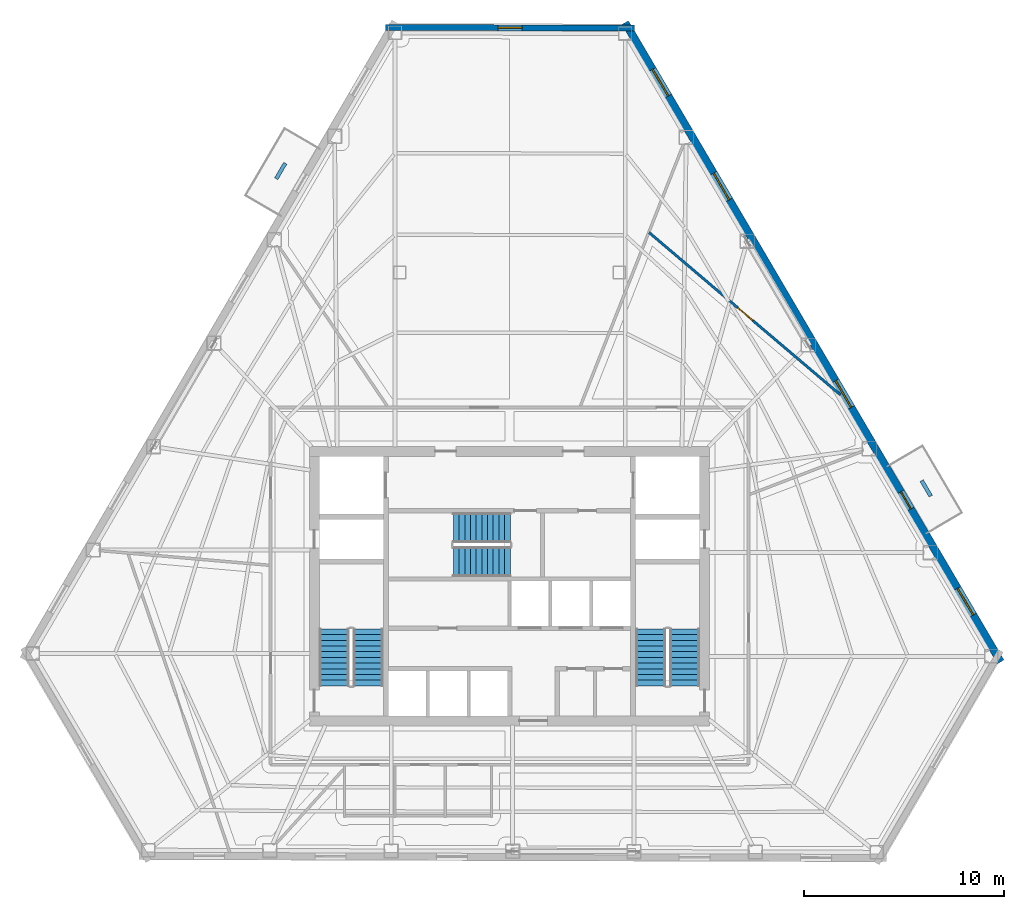
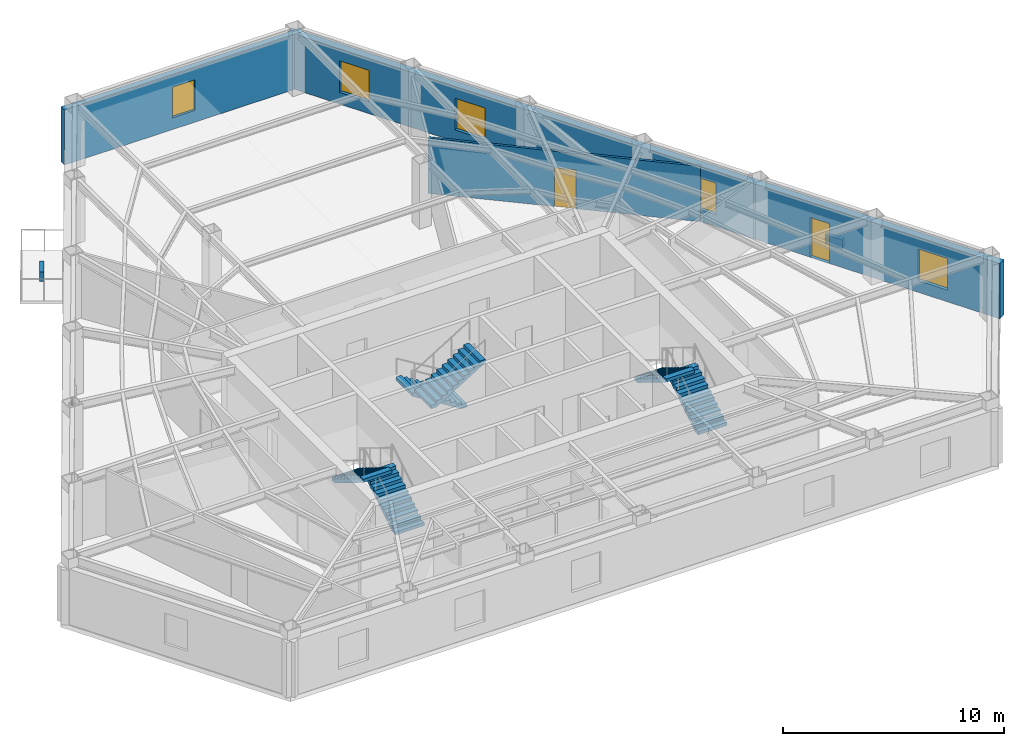
# One storey, part 7 of 11: 6 stair flights, 5 walls, 5 windows, 2 doors, 7 openings, 3 elements without a shape of their own.
"""IFC4 building model written with IfcOpenShell, lengths in metres."""

from ifc_helpers import new_model, si_unit, direction, frame, frame_2d, origin, place, context, subcontext, project, spatial, polyline, rectangle, outline, extrude, material, layer, layer_set, type_object, element, fill, aggregate, save


model = new_model("IFC4")

# Units and contexts
model_context = context("Model", 3, precision=1e-05, world=origin(), true_north=direction((0.0, 1.0)))
body_context = subcontext(model_context, "Body", "Model", "MODEL_VIEW")
ifc_project = project(units=[si_unit("LENGTHUNIT", "METRE"), si_unit("AREAUNIT", "SQUARE_METRE"), si_unit("VOLUMEUNIT", "CUBIC_METRE"), si_unit("PLANEANGLEUNIT", "RADIAN"), si_unit("MASSUNIT", "GRAM", prefix="KILO")], contexts=[model_context])

# Site, building, storey
site_placement = place(None, origin())
site = spatial("IfcSite", under=ifc_project, at=site_placement, CompositionType="ELEMENT")
building_placement = place(site_placement, origin())
building = spatial("IfcBuilding", under=site, at=building_placement, Name="Kavelnor Concourse Tower", CompositionType="ELEMENT")
storey_placement = place(building_placement, frame((0.0, 0.0, 127.85009765625)))
storey = spatial("IfcBuildingStorey", under=building, at=storey_placement, Name="L32", CompositionType="ELEMENT", Elevation=127.85009765625)

# Wall, opening, window
ifc_material_1 = material(Name="Buff ironspot clay face brick masonry", Category="masonry")
ifc_layer_1 = layer(ifc_material_1, 0.300048828125, Name="Buff ironspot clay face brick masonry")
ifc_layer_set_1 = layer_set([ifc_layer_1], Name="Buff ironspot clay face brick masonry")
wall_type_1 = type_object("IfcWallType", Name="WL-EXT-BUFF-BRICK-FOLD-300", PredefinedType="STANDARD", material=ifc_layer_set_1)
wall_1_placement = place(storey_placement, frame((31.7890625, 44.076904296875, 0.0), z_axis=(0.0, 0.0, 1.0), x_axis=(0.999995753089, -0.002914413051, 0.0)))
wall_1 = element("IfcWall", 1, at=wall_1_placement, inside=storey, type_object=wall_type_1, Name="L32 Exterior Brick Facade Wall E0", PredefinedType="STANDARD", context=body_context, shape_type="SweptSolid", body=[
    extrude(rectangle(XDim=12.481689453125, YDim=0.300048828125, at=frame_2d((6.24072265625, 0.0))), origin(), (0.0, 0.0, 1.0), 3.058837890625),
])
opening_1_placement = place(wall_1_placement, frame((5.640869140625, 0.0, 0.64990234375)))
opening_1 = element("IfcOpeningElement", 2, at=opening_1_placement, cuts=wall_1, Name="Opening W-05", PredefinedType="OPENING", context=body_context, shape_type="SweptSolid", body=[
    extrude(rectangle(XDim=1.199951171875, YDim=1.699951171875, at=frame_2d((0.60009765625, 0.85009765625))), frame((0.0, 0.16015625, 0.0), z_axis=(0.0, -1.0, 0.0), x_axis=(1.0, 0.0, 0.0)), (0.0, 0.0, 1.0), 0.320068359375),
])
ifc_material_2 = material(Name="Double low-E argon insulated glazing", Category="glass")
window_type_1 = type_object("IfcWindowType", Name="WIN-FOLD-1200", PartitioningType="SINGLE_PANEL", PredefinedType="WINDOW", material=ifc_material_2)
window_1_placement = place(opening_1_placement, origin())
window_1 = element("IfcWindow", 3, at=window_1_placement, inside=storey, type_object=window_type_1, Name="L32 Chamfer-Fold Facet Window C0", OverallHeight=1.699951171875, OverallWidth=1.199951171875, PartitioningType="SINGLE_PANEL", PredefinedType="WINDOW", context=body_context, shape_type="SweptSolid", body=[
    extrude(rectangle(XDim=1.199951171875, YDim=1.699951171875, at=frame_2d((0.60009765625, 0.85009765625))), frame((0.0, 0.030029296875, 0.0), z_axis=(0.0, -1.0, 0.0), x_axis=(1.0, 0.0, 0.0)), (0.0, 0.0, 1.0), 0.06005859375),
])
fill(opening_1, window_1)

# Wall, openings, door, windows
ifc_material_3 = material(Name="Red-ochre clay face brick masonry", Category="masonry")
ifc_layer_2 = layer(ifc_material_3, 0.3798828125, Name="Red-ochre clay face brick masonry")
ifc_layer_set_2 = layer_set([ifc_layer_2], Name="Red-ochre clay face brick masonry")
wall_type_2 = type_object("IfcWallType", Name="WL-EXT-RED-BRICK-PIER-380", PredefinedType="STANDARD", material=ifc_layer_set_2)
wall_2_placement = place(storey_placement, frame((43.7890625, 44.317138671875, 0.0), z_axis=(0.0, 0.0, 1.0), x_axis=(0.506589674511, -0.862187277613, 0.0)))
wall_2 = element("IfcWall", 4, at=wall_2_placement, inside=storey, type_object=wall_type_2, Name="L32 Exterior Brick Facade Wall E5", PredefinedType="STANDARD", context=body_context, shape_type="SweptSolid", body=[
    extrude(rectangle(XDim=37.135498046875, YDim=0.3798828125, at=frame_2d((18.56787109375, 0.0))), origin(), (0.0, 0.0, 1.0), 3.058837890625),
])
opening_2_placement = place(wall_2_placement, frame((27.251708984375, 0.0, 0.0)))
opening_2 = element("IfcOpeningElement", 5, at=opening_2_placement, cuts=wall_2, Name="Opening BD-100", PredefinedType="OPENING", context=body_context, shape_type="SweptSolid", body=[
    extrude(rectangle(XDim=1.0, YDim=2.199951171875, at=frame_2d((0.5, 1.10009765625))), frame((0.0, 0.199951171875, 0.0), z_axis=(0.0, -1.0, 0.0), x_axis=(1.0, 0.0, 0.0)), (0.0, 0.0, 1.0), 0.39990234375),
])
opening_3_placement = place(wall_2_placement, frame((32.864501953125, 0.0, 0.64990234375)))
opening_3 = element("IfcOpeningElement", 6, at=opening_3_placement, cuts=wall_2, Name="Opening W-02", PredefinedType="OPENING", context=body_context, shape_type="SweptSolid", body=[
    extrude(rectangle(XDim=1.550048828125, YDim=1.75, at=frame_2d((0.77490234375, 0.875))), frame((0.0, 0.199951171875, 0.0), z_axis=(0.0, -1.0, 0.0), x_axis=(1.0, 0.0, 0.0)), (0.0, 0.0, 1.0), 0.39990234375),
])
opening_4_placement = place(wall_2_placement, frame((20.80419921875, 0.0, 0.64990234375)))
opening_4 = element("IfcOpeningElement", 7, at=opening_4_placement, cuts=wall_2, Name="Opening W-02", PredefinedType="OPENING", context=body_context, shape_type="SweptSolid", body=[
    extrude(rectangle(XDim=1.550048828125, YDim=1.75, at=frame_2d((0.77490234375, 0.875))), frame((0.0, 0.199951171875, 0.0), z_axis=(0.0, -1.0, 0.0), x_axis=(1.0, 0.0, 0.0)), (0.0, 0.0, 1.0), 0.39990234375),
])
opening_5_placement = place(wall_2_placement, frame((8.743896484375, 0.0, 0.64990234375)))
opening_5 = element("IfcOpeningElement", 8, at=opening_5_placement, cuts=wall_2, Name="Opening W-02", PredefinedType="OPENING", context=body_context, shape_type="SweptSolid", body=[
    extrude(rectangle(XDim=1.550048828125, YDim=1.75, at=frame_2d((0.77490234375, 0.875))), frame((0.0, 0.199951171875, 0.0), z_axis=(0.0, -1.0, 0.0), x_axis=(1.0, 0.0, 0.0)), (0.0, 0.0, 1.0), 0.39990234375),
])
opening_6_placement = place(wall_2_placement, frame((2.7138671875, 0.0, 0.64990234375)))
opening_6 = element("IfcOpeningElement", 9, at=opening_6_placement, cuts=wall_2, Name="Opening W-02", PredefinedType="OPENING", context=body_context, shape_type="SweptSolid", body=[
    extrude(rectangle(XDim=1.550048828125, YDim=1.75, at=frame_2d((0.77490234375, 0.875))), frame((0.0, 0.199951171875, 0.0), z_axis=(0.0, -1.0, 0.0), x_axis=(1.0, 0.0, 0.0)), (0.0, 0.0, 1.0), 0.39990234375),
])
ifc_material_4 = material(Name="Anodised aluminium 6063-T6", Category="aluminium")
door_type_1 = type_object("IfcDoorType", Name="DR-BALCONY-EXT-1000", OperationType="NOTDEFINED", PredefinedType="DOOR", material=ifc_material_4)
door_1_placement = place(opening_2_placement, origin())
door_1 = element("IfcDoor", 10, at=door_1_placement, inside=storey, type_object=door_type_1, Name="L32 Tree Balcony 1 Glazed Door", OperationType="SINGLE_SWING_LEFT", OverallHeight=2.199951171875, OverallWidth=1.0, PredefinedType="DOOR", context=body_context, shape_type="SweptSolid", body=[
    extrude(rectangle(XDim=1.0, YDim=2.199951171875, at=frame_2d((0.5, 1.10009765625))), frame((0.0, 0.02490234375, 0.0), z_axis=(0.0, -1.0, 0.0), x_axis=(1.0, 0.0, 0.0)), (0.0, 0.0, 1.0), 0.050048828125),
])
fill(opening_2, door_1)
window_type_2 = type_object("IfcWindowType", Name="WIN-PIER-Z2-1650", PartitioningType="SINGLE_PANEL", PredefinedType="WINDOW", material=ifc_material_2)
window_2_placement = place(opening_3_placement, origin())
window_2 = element("IfcWindow", 11, at=window_2_placement, inside=storey, type_object=window_type_2, Name="L32 Deep-Set Brick Pier Window F2-B0", OverallHeight=1.75, OverallWidth=1.550048828125, PartitioningType="SINGLE_PANEL", PredefinedType="WINDOW", context=body_context, shape_type="SweptSolid", body=[
    extrude(rectangle(XDim=1.550048828125, YDim=1.75, at=frame_2d((0.77490234375, 0.875))), frame((0.0, 0.030029296875, 0.0), z_axis=(0.0, -1.0, 0.0), x_axis=(1.0, 0.0, 0.0)), (0.0, 0.0, 1.0), 0.06005859375),
])
fill(opening_3, window_2)
window_3_placement = place(opening_4_placement, origin())
window_3 = element("IfcWindow", 12, at=window_3_placement, inside=storey, type_object=window_type_2, Name="L32 Deep-Set Brick Pier Window F2-B2", OverallHeight=1.75, OverallWidth=1.550048828125, PartitioningType="SINGLE_PANEL", PredefinedType="WINDOW", context=body_context, shape_type="SweptSolid", body=[
    extrude(rectangle(XDim=1.550048828125, YDim=1.75, at=frame_2d((0.77490234375, 0.875))), frame((0.0, 0.030029296875, 0.0), z_axis=(0.0, -1.0, 0.0), x_axis=(1.0, 0.0, 0.0)), (0.0, 0.0, 1.0), 0.06005859375),
])
fill(opening_4, window_3)
window_4_placement = place(opening_5_placement, origin())
window_4 = element("IfcWindow", 13, at=window_4_placement, inside=storey, type_object=window_type_2, Name="L32 Deep-Set Brick Pier Window F2-B4", OverallHeight=1.75, OverallWidth=1.550048828125, PartitioningType="SINGLE_PANEL", PredefinedType="WINDOW", context=body_context, shape_type="SweptSolid", body=[
    extrude(rectangle(XDim=1.550048828125, YDim=1.75, at=frame_2d((0.77490234375, 0.875))), frame((0.0, 0.030029296875, 0.0), z_axis=(0.0, -1.0, 0.0), x_axis=(1.0, 0.0, 0.0)), (0.0, 0.0, 1.0), 0.06005859375),
])
fill(opening_5, window_4)
window_5_placement = place(opening_6_placement, origin())
window_5 = element("IfcWindow", 14, at=window_5_placement, inside=storey, type_object=window_type_2, Name="L32 Deep-Set Brick Pier Window F2-B5", OverallHeight=1.75, OverallWidth=1.550048828125, PartitioningType="SINGLE_PANEL", PredefinedType="WINDOW", context=body_context, shape_type="SweptSolid", body=[
    extrude(rectangle(XDim=1.550048828125, YDim=1.75, at=frame_2d((0.77490234375, 0.875))), frame((0.0, 0.030029296875, 0.0), z_axis=(0.0, -1.0, 0.0), x_axis=(1.0, 0.0, 0.0)), (0.0, 0.0, 1.0), 0.06005859375),
])
fill(opening_6, window_5)

# Wall, opening, door
ifc_material_5 = material(Name="Gypsum plasterboard on light-gauge steel studs", Category="steel")
ifc_layer_3 = layer(ifc_material_5, 0.125, Name="Gypsum plasterboard on light-gauge steel studs")
ifc_layer_set_3 = layer_set([ifc_layer_3], Name="Gypsum plasterboard on light-gauge steel studs")
wall_type_3 = type_object("IfcWallType", Name="WL-INT-SUITE-125", PredefinedType="PARTITIONING", material=ifc_layer_set_3)
wall_3_placement = place(storey_placement, frame((54.564697265625, 25.68115234375, 0.0), z_axis=(0.0, 0.0, 1.0), x_axis=(-0.762514657575, 0.646970939829, 0.0)))
wall_3 = element("IfcWall", 15, at=wall_3_placement, inside=storey, type_object=wall_type_3, Name="L32 Suite Subdivision Partition 01", PredefinedType="PARTITIONING", context=body_context, shape_type="SweptSolid", body=[
    extrude(rectangle(XDim=12.557373046875, YDim=0.125, at=frame_2d((6.27880859375, 0.0))), origin(), (0.0, 0.0, 1.0), 3.06201171875),
])
opening_7_placement = place(wall_3_placement, frame((5.745361328125, 0.0, 0.0)))
opening_7 = element("IfcOpeningElement", 16, at=opening_7_placement, cuts=wall_3, Name="Opening OD-098", PredefinedType="OPENING", context=body_context, shape_type="SweptSolid", body=[
    extrude(rectangle(XDim=0.97998046875, YDim=2.14990234375, at=frame_2d((0.489990234375, 1.074951171875))), frame((0.0, 0.072509765625, 0.0), z_axis=(0.0, -1.0, 0.0), x_axis=(1.0, 0.0, 0.0)), (0.0, 0.0, 1.0), 0.14501953125),
])
ifc_material_6 = material(Name="Solid-core hardwood timber", Category="wood")
door_type_2 = type_object("IfcDoorType", Name="DR-OFFICE-980", OperationType="NOTDEFINED", PredefinedType="DOOR", material=ifc_material_6)
door_2_placement = place(opening_7_placement, origin())
door_2 = element("IfcDoor", 17, at=door_2_placement, inside=storey, type_object=door_type_2, Name="L32 Technical Reference Library 02 Door", OperationType="SINGLE_SWING_LEFT", OverallHeight=2.14990234375, OverallWidth=0.97998046875, PredefinedType="DOOR", context=body_context, shape_type="SweptSolid", body=[
    extrude(rectangle(XDim=0.97998046875, YDim=2.14990234375, at=frame_2d((0.489990234375, 1.074951171875))), frame((0.0, 0.02490234375, 0.0), z_axis=(0.0, -1.0, 0.0), x_axis=(1.0, 0.0, 0.0)), (0.0, 0.0, 1.0), 0.050048828125),
])
fill(opening_7, door_2)

# Walls
ifc_material_7 = material(Name="Architectural precast planter concrete C40/50", Category="concrete")
ifc_layer_4 = layer(ifc_material_7, 0.18994140625, Name="Architectural precast planter concrete C40/50")
ifc_layer_set_4 = layer_set([ifc_layer_4], Name="Architectural precast planter concrete C40/50")
wall_type_4 = type_object("IfcWallType", Name="WL-PLANTER-KERB-190", PredefinedType="USERDEFINED", material=ifc_layer_set_4)
wall_4_placement = place(storey_placement, frame((59.097412109375, 20.602294921875, 0.0), z_axis=(0.0, 0.0, 1.0), x_axis=(-0.506617093274, 0.862171166766, 0.0)))
element("IfcWall", 18, at=wall_4_placement, inside=storey, type_object=wall_type_4, Name="L32 Tree Balcony 1 Tree Planter Kerb", ObjectType="PLANTER", PredefinedType="USERDEFINED", context=body_context, shape_type="SweptSolid", body=[
    extrude(rectangle(XDim=0.900146484375, YDim=0.18994140625, at=frame_2d((0.4501953125, 0.0))), origin(), (0.0, 0.0, 1.0), 0.5),
])
wall_5_placement = place(storey_placement, frame((26.768798828125, 37.275390625, 0.0), z_axis=(0.0, 0.0, 1.0), x_axis=(-0.504005947934, -0.863700182035, 0.0)))
element("IfcWall", 19, at=wall_5_placement, inside=storey, type_object=wall_type_4, Name="L32 Tree Balcony 2 Tree Planter Kerb", ObjectType="PLANTER", PredefinedType="USERDEFINED", context=body_context, shape_type="SweptSolid", body=[
    extrude(rectangle(XDim=0.89990234375, YDim=0.18994140625, at=frame_2d((0.449951171875, 0.0))), origin(), (0.0, 0.0, 1.0), 0.5),
])

# Stair, stair flights
ifc_material_8 = material(Name="Concrete C40/50", Category="concrete")
stair_type = type_object("IfcStairType", Name="STR-CORE-1500", PredefinedType="HALF_TURN_STAIR", material=ifc_material_8)
stair_1_placement = place(storey_placement, origin())
stair_1 = element("IfcStair", 20, at=stair_1_placement, inside=storey, type_object=stair_type, Name="L32 ST1", PredefinedType="HALF_TURN_STAIR")
stair_flight_type = type_object("IfcStairFlightType", Name="STR-FLIGHT-1500", PredefinedType="STRAIGHT", material=ifc_material_8)
stair_flight_1_placement = place(storey_placement, frame((30.929931640625, 11.10009765625, 0.0), z_axis=(0.0, 0.0, 1.0), x_axis=(0.0, 1.0, 0.0)))
stair_flight_1 = element("IfcStairFlight", 21, at=stair_flight_1_placement, type_object=stair_flight_type, Name="ST1 flight 1", NumberOfRisers=11, NumberOfTreads=10, PredefinedType="STRAIGHT", RiserHeight=0.175, TreadLength=0.285, context=body_context, shape_type="SweptSolid", body=[
    extrude(outline(polyline([(0.0, 0.0), (0.0, 0.175048828125), (0.284912109375, 0.175048828125), (0.284912109375, 0.35009765625), (0.570068359375, 0.35009765625), (0.570068359375, 0.52490234375), (0.85498046875, 0.52490234375), (0.85498046875, 0.699951171875), (1.139892578125, 0.699951171875), (1.139892578125, 0.875), (1.425048828125, 0.875), (1.425048828125, 1.050048828125), (1.7099609375, 1.050048828125), (1.7099609375, 1.22509765625), (1.9951171875, 1.22509765625), (1.9951171875, 1.39990234375), (2.280029296875, 1.39990234375), (2.280029296875, 1.574951171875), (2.56494140625, 1.574951171875), (2.56494140625, 1.75), (2.85009765625, 1.75), (2.85009765625, 1.925048828125), (2.85009765625, 1.573974609375), (0.286376953125, 0.0), (0.0, 0.0)])), frame((0.0, 0.75, 0.0), z_axis=(0.0, -1.0, 0.0), x_axis=(1.0, 0.0, 0.0)), (0.0, 0.0, 1.0), 1.5),
])
stair_flight_2_placement = place(storey_placement, frame((29.22998046875, 13.949951171875, 1.9248046875), z_axis=(0.0, 0.0, 1.0), x_axis=(0.0, -1.0, 0.0)))
stair_flight_2 = element("IfcStairFlight", 22, at=stair_flight_2_placement, type_object=stair_flight_type, Name="ST1 flight 2", NumberOfRisers=11, NumberOfTreads=10, PredefinedType="STRAIGHT", RiserHeight=0.175, TreadLength=0.285, context=body_context, shape_type="SweptSolid", body=[
    extrude(outline(polyline([(0.0, 0.0), (0.0, 0.175048828125), (0.284912109375, 0.175048828125), (0.284912109375, 0.35009765625), (0.570068359375, 0.35009765625), (0.570068359375, 0.52490234375), (0.85498046875, 0.52490234375), (0.85498046875, 0.699951171875), (1.139892578125, 0.699951171875), (1.139892578125, 0.875), (1.425048828125, 0.875), (1.425048828125, 1.050048828125), (1.7099609375, 1.050048828125), (1.7099609375, 1.22509765625), (1.9951171875, 1.22509765625), (1.9951171875, 1.39990234375), (2.280029296875, 1.39990234375), (2.280029296875, 1.574951171875), (2.56494140625, 1.574951171875), (2.56494140625, 1.75), (2.85009765625, 1.75), (2.85009765625, 1.925048828125), (2.85009765625, 1.573974609375), (0.286376953125, 0.0), (0.0, 0.0)])), frame((0.0, 0.75, 0.0), z_axis=(0.0, -1.0, 0.0), x_axis=(1.0, 0.0, 0.0)), (0.0, 0.0, 1.0), 1.5),
])
aggregate(stair_1, [stair_flight_1, stair_flight_2])

stair_2_placement = place(storey_placement, origin())
stair_2 = element("IfcStair", 23, at=stair_2_placement, inside=storey, type_object=stair_type, Name="L32 ST2", PredefinedType="HALF_TURN_STAIR")
stair_flight_3_placement = place(storey_placement, frame((46.77001953125, 11.10009765625, 0.0), z_axis=(0.0, 0.0, 1.0), x_axis=(0.0, 1.0, 0.0)))
stair_flight_3 = element("IfcStairFlight", 24, at=stair_flight_3_placement, type_object=stair_flight_type, Name="ST2 flight 1", NumberOfRisers=11, NumberOfTreads=10, PredefinedType="STRAIGHT", RiserHeight=0.175, TreadLength=0.285, context=body_context, shape_type="SweptSolid", body=[
    extrude(outline(polyline([(0.0, 0.0), (0.0, 0.175048828125), (0.284912109375, 0.175048828125), (0.284912109375, 0.35009765625), (0.570068359375, 0.35009765625), (0.570068359375, 0.52490234375), (0.85498046875, 0.52490234375), (0.85498046875, 0.699951171875), (1.139892578125, 0.699951171875), (1.139892578125, 0.875), (1.425048828125, 0.875), (1.425048828125, 1.050048828125), (1.7099609375, 1.050048828125), (1.7099609375, 1.22509765625), (1.9951171875, 1.22509765625), (1.9951171875, 1.39990234375), (2.280029296875, 1.39990234375), (2.280029296875, 1.574951171875), (2.56494140625, 1.574951171875), (2.56494140625, 1.75), (2.85009765625, 1.75), (2.85009765625, 1.925048828125), (2.85009765625, 1.573974609375), (0.286376953125, 0.0), (0.0, 0.0)])), frame((0.0, 0.75, 0.0), z_axis=(0.0, -1.0, 0.0), x_axis=(1.0, 0.0, 0.0)), (0.0, 0.0, 1.0), 1.5),
])
stair_flight_4_placement = place(storey_placement, frame((45.070068359375, 13.949951171875, 1.9248046875), z_axis=(0.0, 0.0, 1.0), x_axis=(0.0, -1.0, 0.0)))
stair_flight_4 = element("IfcStairFlight", 25, at=stair_flight_4_placement, type_object=stair_flight_type, Name="ST2 flight 2", NumberOfRisers=11, NumberOfTreads=10, PredefinedType="STRAIGHT", RiserHeight=0.175, TreadLength=0.285, context=body_context, shape_type="SweptSolid", body=[
    extrude(outline(polyline([(0.0, 0.0), (0.0, 0.175048828125), (0.284912109375, 0.175048828125), (0.284912109375, 0.35009765625), (0.570068359375, 0.35009765625), (0.570068359375, 0.52490234375), (0.85498046875, 0.52490234375), (0.85498046875, 0.699951171875), (1.139892578125, 0.699951171875), (1.139892578125, 0.875), (1.425048828125, 0.875), (1.425048828125, 1.050048828125), (1.7099609375, 1.050048828125), (1.7099609375, 1.22509765625), (1.9951171875, 1.22509765625), (1.9951171875, 1.39990234375), (2.280029296875, 1.39990234375), (2.280029296875, 1.574951171875), (2.56494140625, 1.574951171875), (2.56494140625, 1.75), (2.85009765625, 1.75), (2.85009765625, 1.925048828125), (2.85009765625, 1.573974609375), (0.286376953125, 0.0), (0.0, 0.0)])), frame((0.0, 0.75, 0.0), z_axis=(0.0, -1.0, 0.0), x_axis=(1.0, 0.0, 0.0)), (0.0, 0.0, 1.0), 1.5),
])
aggregate(stair_2, [stair_flight_3, stair_flight_4])

stair_3_placement = place(storey_placement, origin())
stair_3 = element("IfcStair", 26, at=stair_3_placement, inside=storey, type_object=stair_type, Name="L32 ST3", PredefinedType="HALF_TURN_STAIR")
stair_flight_5_placement = place(storey_placement, frame((38.0400390625, 19.010009765625, 0.0), z_axis=(0.0, 0.0, 1.0), x_axis=(-1.0, 0.0, 0.0)))
stair_flight_5 = element("IfcStairFlight", 27, at=stair_flight_5_placement, type_object=stair_flight_type, Name="ST3 flight 1", NumberOfRisers=11, NumberOfTreads=10, PredefinedType="STRAIGHT", RiserHeight=0.175, TreadLength=0.285, context=body_context, shape_type="SweptSolid", body=[
    extrude(outline(polyline([(0.0, 0.0), (0.0, 0.175048828125), (0.284912109375, 0.175048828125), (0.284912109375, 0.35009765625), (0.570068359375, 0.35009765625), (0.570068359375, 0.52490234375), (0.85498046875, 0.52490234375), (0.85498046875, 0.699951171875), (1.139892578125, 0.699951171875), (1.139892578125, 0.875), (1.425048828125, 0.875), (1.425048828125, 1.050048828125), (1.7099609375, 1.050048828125), (1.7099609375, 1.22509765625), (1.9951171875, 1.22509765625), (1.9951171875, 1.39990234375), (2.280029296875, 1.39990234375), (2.280029296875, 1.574951171875), (2.56494140625, 1.574951171875), (2.56494140625, 1.75), (2.85009765625, 1.75), (2.85009765625, 1.925048828125), (2.85009765625, 1.573974609375), (0.286376953125, 0.0), (0.0, 0.0)])), frame((0.0, 0.75, 0.0), z_axis=(0.0, -1.0, 0.0), x_axis=(1.0, 0.0, 0.0)), (0.0, 0.0, 1.0), 1.5),
])
stair_flight_6_placement = place(storey_placement, frame((35.18994140625, 17.31005859375, 1.9248046875), z_axis=(0.0, 0.0, 1.0), x_axis=(1.0, 0.0, 0.0)))
stair_flight_6 = element("IfcStairFlight", 28, at=stair_flight_6_placement, type_object=stair_flight_type, Name="ST3 flight 2", NumberOfRisers=11, NumberOfTreads=10, PredefinedType="STRAIGHT", RiserHeight=0.175, TreadLength=0.285, context=body_context, shape_type="SweptSolid", body=[
    extrude(outline(polyline([(0.0, 0.0), (0.0, 0.175048828125), (0.284912109375, 0.175048828125), (0.284912109375, 0.35009765625), (0.570068359375, 0.35009765625), (0.570068359375, 0.52490234375), (0.85498046875, 0.52490234375), (0.85498046875, 0.699951171875), (1.139892578125, 0.699951171875), (1.139892578125, 0.875), (1.425048828125, 0.875), (1.425048828125, 1.050048828125), (1.7099609375, 1.050048828125), (1.7099609375, 1.22509765625), (1.9951171875, 1.22509765625), (1.9951171875, 1.39990234375), (2.280029296875, 1.39990234375), (2.280029296875, 1.574951171875), (2.56494140625, 1.574951171875), (2.56494140625, 1.75), (2.85009765625, 1.75), (2.85009765625, 1.925048828125), (2.85009765625, 1.573974609375), (0.286376953125, 0.0), (0.0, 0.0)])), frame((0.0, 0.75, 0.0), z_axis=(0.0, -1.0, 0.0), x_axis=(1.0, 0.0, 0.0)), (0.0, 0.0, 1.0), 1.5),
])
aggregate(stair_3, [stair_flight_5, stair_flight_6])

save(model, "model.ifc")
